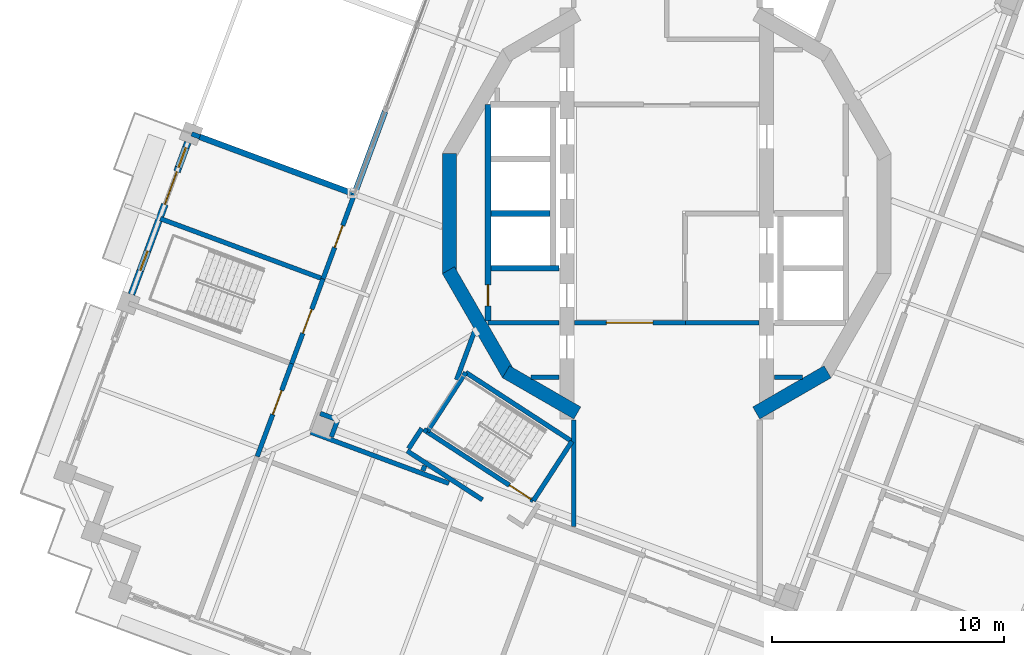
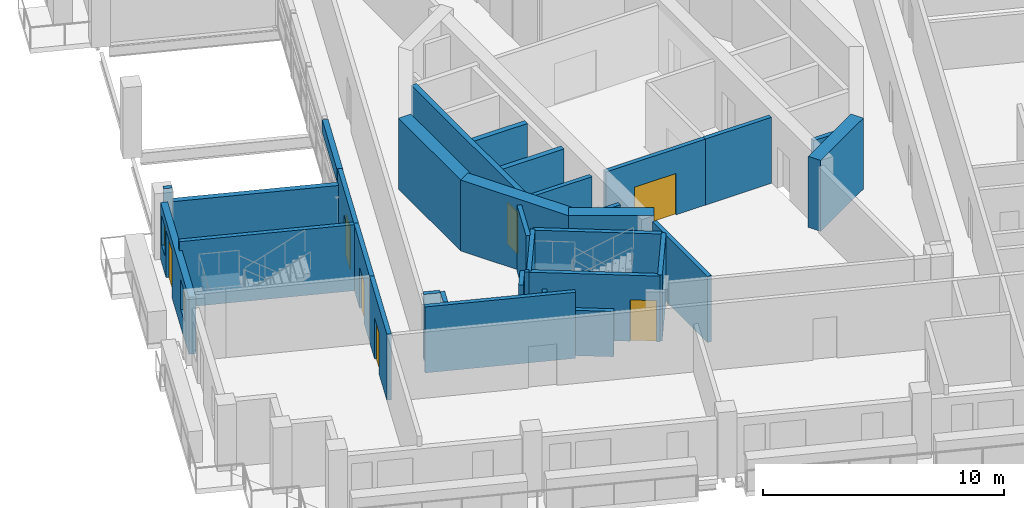
# One storey, part 8 of 20: 33 walls, 7 doors, 2 windows, 9 openings.
"""IFC4 building model written with IfcOpenShell, lengths in metres."""

from ifc_helpers import new_model, si_unit, direction, frame, frame_2d, origin, place, context, subcontext, project, spatial, rectangle, extrude, material, layer, layer_set, type_object, element, fill, save


model = new_model("IFC4")

# Units and contexts
model_context = context("Model", 3, precision=1e-05, world=origin(), true_north=direction((0.0, 1.0)))
body_context = subcontext(model_context, "Body", "Model", "MODEL_VIEW")
ifc_project = project(units=[si_unit("LENGTHUNIT", "METRE"), si_unit("AREAUNIT", "SQUARE_METRE"), si_unit("VOLUMEUNIT", "CUBIC_METRE"), si_unit("PLANEANGLEUNIT", "RADIAN"), si_unit("MASSUNIT", "GRAM", prefix="KILO")], contexts=[model_context])

# Site, building, storey
site_placement = place(None, origin())
site = spatial("IfcSite", under=ifc_project, at=site_placement, CompositionType="ELEMENT")
building_placement = place(site_placement, origin())
building = spatial("IfcBuilding", under=site, at=building_placement, Name="Cantera Rosa Tower", CompositionType="ELEMENT")
storey_placement = place(building_placement, frame((0.0, 0.0, 313.300048828125)))
storey = spatial("IfcBuildingStorey", under=building, at=storey_placement, Name="L69", CompositionType="ELEMENT", Elevation=313.300048828125)

# Wall
ifc_material_1 = material(Name="Gypsum board partition")
ifc_layer_1 = layer(ifc_material_1, 0.199951171875)
ifc_layer_set_1 = layer_set([ifc_layer_1], Name="CORRIDOR WALL 200 H2300")
wall_type_1 = type_object("IfcWallType", Name="CORRIDOR WALL 200 H2300", PredefinedType="PARTITIONING", material=ifc_layer_set_1)
wall_1_placement = place(storey_placement, frame((-11.177490234375, -10.216552734375, 0.0), z_axis=(0.0, 0.0, 1.0), x_axis=(0.83867589464, -0.544630832537, 0.0)))
element("IfcWall", 1, at=wall_1_placement, inside=storey, type_object=wall_type_1, Name="CORRIDOR WALL L69-011", PredefinedType="PARTITIONING", context=body_context, shape_type="SweptSolid", body=[
    extrude(rectangle(XDim=3.864990234375, YDim=0.199951171875, at=frame_2d((1.9326171875, 0.0))), origin(), (0.0, 0.0, 1.0), 2.300048828125),
])

# Wall, opening, door
ifc_material_2 = material(Name="Gypsum board partition")
ifc_layer_2 = layer(ifc_material_2, 0.199951171875)
ifc_layer_set_2 = layer_set([ifc_layer_2], Name="CORRIDOR WALL 200 H3350")
wall_type_2 = type_object("IfcWallType", Name="CORRIDOR WALL 200 H3350", PredefinedType="PARTITIONING", material=ifc_layer_set_2)
wall_2_placement = place(storey_placement, frame((-16.1513671875, -6.460205078125, 0.0), z_axis=(0.0, 0.0, 1.0), x_axis=(-0.347465539693, -0.937692752838, 0.0)))
wall_2 = element("IfcWall", 2, at=wall_2_placement, inside=storey, type_object=wall_type_2, Name="CORRIDOR WALL L69-005", PredefinedType="PARTITIONING", context=body_context, shape_type="SweptSolid", body=[
    extrude(rectangle(XDim=4.260009765625, YDim=0.199951171875, at=frame_2d((2.1298828125, 0.0))), origin(), (0.0, 0.0, 1.0), 3.349853515625),
])
opening_1_placement = place(wall_2_placement, frame((1.22998046875, 0.0, 0.0)))
opening_1 = element("IfcOpeningElement", 3, at=opening_1_placement, cuts=wall_2, Name="Opening L69-026", PredefinedType="OPENING", context=body_context, shape_type="SweptSolid", body=[
    extrude(rectangle(XDim=1.10009765625, YDim=2.10009765625, at=frame_2d((0.550048828125, 1.050048828125))), frame((0.0, 0.10986328125, 0.0), z_axis=(0.0, -1.0, 0.0), x_axis=(1.0, 0.0, 0.0)), (0.0, 0.0, 1.0), 0.219970703125),
])
ifc_material_3 = material(Name="Timber door leaf", Category="wood")
door_type_1 = type_object("IfcDoorType", Name="ROOM DOOR 1100x2100", OperationType="NOTDEFINED", PredefinedType="DOOR", material=ifc_material_3)
door_1_placement = place(opening_1_placement, origin())
door_1 = element("IfcDoor", 4, at=door_1_placement, inside=storey, type_object=door_type_1, Name="DOOR L69-026", OperationType="NOTDEFINED", OverallHeight=2.10009765625, OverallWidth=1.10009765625, PredefinedType="DOOR", context=body_context, shape_type="SweptSolid", body=[
    extrude(rectangle(XDim=1.10009765625, YDim=2.10009765625, at=frame_2d((0.550048828125, 1.050048828125))), frame((0.0, 0.02490234375, 0.0), z_axis=(0.0, -1.0, 0.0), x_axis=(1.0, 0.0, 0.0)), (0.0, 0.0, 1.0), 0.050048828125),
])
fill(opening_1, door_1)

# Walls
wall_3_placement = place(storey_placement, frame((-15.3251953125, -9.4111328125, 0.0), z_axis=(0.0, 0.0, 1.0), x_axis=(0.937682798528, -0.347492401852, 0.0)))
element("IfcWall", 5, at=wall_3_placement, inside=storey, type_object=wall_type_2, Name="CORRIDOR WALL L69-007", PredefinedType="PARTITIONING", context=body_context, shape_type="SweptSolid", body=[
    extrude(rectangle(XDim=6.341552734375, YDim=0.199951171875, at=frame_2d((3.1708984375, 0.0))), origin(), (0.0, 0.0, 1.0), 3.349853515625),
])
wall_4_placement = place(storey_placement, frame((-10.546630859375, -9.2451171875, 0.0), z_axis=(0.0, 0.0, 1.0), x_axis=(-0.544732150362, -0.838610090782, 0.0)))
element("IfcWall", 6, at=wall_4_placement, inside=storey, type_object=wall_type_2, Name="CORRIDOR WALL L69-014", PredefinedType="PARTITIONING", context=body_context, shape_type="SweptSolid", body=[
    extrude(rectangle(XDim=1.038330078125, YDim=0.199951171875, at=frame_2d((0.51904296875, 0.0))), origin(), (0.0, 0.0, 1.0), 3.349853515625),
])
wall_5_placement = place(storey_placement, frame((-10.31591796875, -9.394775390625, 0.0), z_axis=(0.0, 0.0, 1.0), x_axis=(-0.838857934668, 0.544350406856, 0.0)))
element("IfcWall", 7, at=wall_5_placement, inside=storey, type_object=wall_type_2, Name="CORRIDOR WALL L69-016", PredefinedType="PARTITIONING", context=body_context, shape_type="SweptSolid", body=[
    extrude(rectangle(XDim=0.1748046875, YDim=0.199951171875, at=frame_2d((0.08740234375, 0.0))), origin(), (0.0, 0.0, 1.0), 3.349853515625),
])

# Wall, opening, door
wall_6_placement = place(storey_placement, frame((-13.404296875, 0.9521484375, 0.0), z_axis=(0.0, 0.0, 1.0), x_axis=(-0.347502485966, -0.937679061432, 0.0)))
wall_6 = element("IfcWall", 8, at=wall_6_placement, inside=storey, type_object=wall_type_2, Name="CORRIDOR WALL L69-032", PredefinedType="PARTITIONING", context=body_context, shape_type="SweptSolid", body=[
    extrude(rectangle(XDim=4.01513671875, YDim=0.199951171875, at=frame_2d((2.007568359375, 0.0))), origin(), (0.0, 0.0, 1.0), 3.349853515625),
])
opening_2_placement = place(wall_6_placement, frame((1.570068359375, 0.0, 0.0)))
opening_2 = element("IfcOpeningElement", 9, at=opening_2_placement, cuts=wall_6, Name="Opening L69-022", PredefinedType="OPENING", context=body_context, shape_type="SweptSolid", body=[
    extrude(rectangle(XDim=1.0, YDim=2.10009765625, at=frame_2d((0.5, 1.050048828125))), frame((0.0, 0.10986328125, 0.0), z_axis=(0.0, -1.0, 0.0), x_axis=(1.0, 0.0, 0.0)), (0.0, 0.0, 1.0), 0.219970703125),
])
ifc_material_4 = material(Name="Timber door leaf", Category="wood")
door_type_2 = type_object("IfcDoorType", Name="ROOM DOOR 1000x2100", OperationType="NOTDEFINED", PredefinedType="DOOR", material=ifc_material_4)
door_2_placement = place(opening_2_placement, origin())
door_2 = element("IfcDoor", 10, at=door_2_placement, inside=storey, type_object=door_type_2, Name="DOOR L69-022", OperationType="NOTDEFINED", OverallHeight=2.10009765625, OverallWidth=1.0, PredefinedType="DOOR", context=body_context, shape_type="SweptSolid", body=[
    extrude(rectangle(XDim=1.0, YDim=2.10009765625, at=frame_2d((0.5, 1.050048828125))), frame((0.0, 0.02490234375, 0.0), z_axis=(0.0, -1.0, 0.0), x_axis=(1.0, 0.0, 0.0)), (0.0, 0.0, 1.0), 0.050048828125),
])
fill(opening_2, door_2)

# Wall
wall_7_placement = place(storey_placement, frame((-4.0, -13.468017578125, 0.0), z_axis=(0.0, 0.0, 1.0), x_axis=(0.0, 1.0, 0.0)))
element("IfcWall", 11, at=wall_7_placement, inside=storey, type_object=wall_type_2, Name="CORRIDOR WALL L69-047", PredefinedType="PARTITIONING", context=body_context, shape_type="SweptSolid", body=[
    extrude(rectangle(XDim=4.589111328125, YDim=0.199951171875, at=frame_2d((2.29443359375, 0.0))), origin(), (0.0, 0.0, 1.0), 3.349853515625),
])

# Wall, opening, door
wall_8_placement = place(storey_placement, frame((0.800048828125, -4.699951171875, 0.0), z_axis=(0.0, 0.0, 1.0), x_axis=(-1.0, 0.0, 0.0)))
wall_8 = element("IfcWall", 12, at=wall_8_placement, inside=storey, type_object=wall_type_2, Name="CORRIDOR WALL L69-057", PredefinedType="PARTITIONING", context=body_context, shape_type="SweptSolid", body=[
    extrude(rectangle(XDim=4.77001953125, YDim=0.199951171875, at=frame_2d((2.385009765625, 0.0))), origin(), (0.0, 0.0, 1.0), 3.349853515625),
])
opening_3_placement = place(wall_8_placement, frame((1.39990234375, 0.0, 0.0)))
opening_3 = element("IfcOpeningElement", 13, at=opening_3_placement, cuts=wall_8, Name="Opening L69-012", PredefinedType="OPENING", context=body_context, shape_type="SweptSolid", body=[
    extrude(rectangle(XDim=2.0, YDim=2.10009765625, at=frame_2d((1.0, 1.050048828125))), frame((0.0, 0.10986328125, 0.0), z_axis=(0.0, -1.0, 0.0), x_axis=(1.0, 0.0, 0.0)), (0.0, 0.0, 1.0), 0.219970703125),
])
ifc_material_5 = material(Name="Steel S355J2 (EN 10025-2)", Category="steel")
door_type_3 = type_object("IfcDoorType", Name="LOBBY SCREEN DOOR 2000x2100", OperationType="NOTDEFINED", PredefinedType="DOOR", material=ifc_material_5)
door_3_placement = place(opening_3_placement, origin())
door_3 = element("IfcDoor", 14, at=door_3_placement, inside=storey, type_object=door_type_3, Name="DOOR L69-012", OperationType="NOTDEFINED", OverallHeight=2.10009765625, OverallWidth=2.0, PredefinedType="DOOR", context=body_context, shape_type="SweptSolid", body=[
    extrude(rectangle(XDim=2.0, YDim=2.10009765625, at=frame_2d((1.0, 1.050048828125))), frame((0.0, 0.02490234375, 0.0), z_axis=(0.0, -1.0, 0.0), x_axis=(1.0, 0.0, 0.0)), (0.0, 0.0, 1.0), 0.050048828125),
])
fill(opening_3, door_3)

# Wall, openings, windows, door
ifc_material_6 = material(Name="Hollow clay masonry with cantera stone cladding", Category="masonry")
ifc_layer_3 = layer(ifc_material_6, 0.300048828125)
ifc_layer_set_3 = layer_set([ifc_layer_3], Name="EW-LOGGIA 300 H2890")
wall_type_3 = type_object("IfcWallType", Name="EW-LOGGIA 300 H2890", PredefinedType="SOLIDWALL", material=ifc_layer_set_3)
wall_9_placement = place(storey_placement, frame((-20.61962890625, 3.06591796875, 0.0), z_axis=(0.0, 0.0, 1.0), x_axis=(-0.347471562124, -0.937690521182, 0.0)))
wall_9 = element("IfcWall", 15, at=wall_9_placement, inside=storey, type_object=wall_type_3, Name="EN-L69-W10", PredefinedType="SOLIDWALL", context=body_context, shape_type="SweptSolid", body=[
    extrude(rectangle(XDim=6.979736328125, YDim=0.300048828125, at=frame_2d((3.48974609375, 0.0))), origin(), (0.0, 0.0, 1.0), 2.889892578125),
])
opening_4_placement = place(wall_9_placement, frame((0.2451171875, 0.0, 0.89990234375)))
opening_4 = element("IfcOpeningElement", 16, at=opening_4_placement, cuts=wall_9, Name="Opening L69-W16", PredefinedType="OPENING", context=body_context, shape_type="SweptSolid", body=[
    extrude(rectangle(XDim=0.89990234375, YDim=1.5, at=frame_2d((0.449951171875, 0.75))), frame((0.0, 0.159912109375, 0.0), z_axis=(0.0, -1.0, 0.0), x_axis=(1.0, 0.0, 0.0)), (0.0, 0.0, 1.0), 0.320068359375),
])
opening_5_placement = place(wall_9_placement, frame((1.344970703125, 0.0, 0.0)))
opening_5 = element("IfcOpeningElement", 17, at=opening_5_placement, cuts=wall_9, Name="Opening L69-TD17", PredefinedType="OPENING", context=body_context, shape_type="SweptSolid", body=[
    extrude(rectangle(XDim=1.5, YDim=2.39990234375, at=frame_2d((0.75, 1.199951171875))), frame((0.0, 0.159912109375, 0.0), z_axis=(0.0, -1.0, 0.0), x_axis=(1.0, 0.0, 0.0)), (0.0, 0.0, 1.0), 0.320068359375),
])
opening_6_placement = place(wall_9_placement, frame((4.985107421875, 0.0, 0.89990234375)))
opening_6 = element("IfcOpeningElement", 18, at=opening_6_placement, cuts=wall_9, Name="Opening L69-W18", PredefinedType="OPENING", context=body_context, shape_type="SweptSolid", body=[
    extrude(rectangle(XDim=0.89990234375, YDim=1.5, at=frame_2d((0.449951171875, 0.75))), frame((0.0, 0.159912109375, 0.0), z_axis=(0.0, -1.0, 0.0), x_axis=(1.0, 0.0, 0.0)), (0.0, 0.0, 1.0), 0.320068359375),
])
ifc_material_7 = material(Name="Aluminium frame with clear glass", Category="aluminium")
window_type = type_object("IfcWindowType", Name="Residential window 900x1500", PartitioningType="SINGLE_PANEL", PredefinedType="WINDOW", material=ifc_material_7)
window_1_placement = place(opening_4_placement, origin())
window_1 = element("IfcWindow", 19, at=window_1_placement, inside=storey, type_object=window_type, Name="WINDOW L69-W16", OverallHeight=1.5, OverallWidth=0.89990234375, PartitioningType="SINGLE_PANEL", PredefinedType="WINDOW", context=body_context, shape_type="SweptSolid", body=[
    extrude(rectangle(XDim=0.89990234375, YDim=1.5, at=frame_2d((0.449951171875, 0.75))), frame((0.0, 0.030029296875, 0.0), z_axis=(0.0, -1.0, 0.0), x_axis=(1.0, 0.0, 0.0)), (0.0, 0.0, 1.0), 0.06005859375),
])
fill(opening_4, window_1)
window_2_placement = place(opening_6_placement, origin())
window_2 = element("IfcWindow", 20, at=window_2_placement, inside=storey, type_object=window_type, Name="WINDOW L69-W18", OverallHeight=1.5, OverallWidth=0.89990234375, PartitioningType="SINGLE_PANEL", PredefinedType="WINDOW", context=body_context, shape_type="SweptSolid", body=[
    extrude(rectangle(XDim=0.89990234375, YDim=1.5, at=frame_2d((0.449951171875, 0.75))), frame((0.0, 0.030029296875, 0.0), z_axis=(0.0, -1.0, 0.0), x_axis=(1.0, 0.0, 0.0)), (0.0, 0.0, 1.0), 0.06005859375),
])
fill(opening_6, window_2)
ifc_material_8 = material(Name="Aluminium frame with clear glass", Category="aluminium")
door_type_4 = type_object("IfcDoorType", Name="TD-R 1500x2400", OperationType="NOTDEFINED", PredefinedType="DOOR", material=ifc_material_8)
door_4_placement = place(opening_5_placement, origin())
door_4 = element("IfcDoor", 21, at=door_4_placement, inside=storey, type_object=door_type_4, Name="LOGGIA DOOR L69-TD17", OperationType="SLIDING_TO_LEFT", OverallHeight=2.39990234375, OverallWidth=1.5, PredefinedType="DOOR", context=body_context, shape_type="SweptSolid", body=[
    extrude(rectangle(XDim=1.5, YDim=2.39990234375, at=frame_2d((0.75, 1.199951171875))), frame((0.0, 0.02490234375, 0.0), z_axis=(0.0, -1.0, 0.0), x_axis=(1.0, 0.0, 0.0)), (0.0, 0.0, 1.0), 0.050048828125),
])
fill(opening_5, door_4)

# Walls
ifc_material_9 = material(Name="Concrete C40/50", Category="concrete")
ifc_layer_4 = layer(ifc_material_9, 0.25)
ifc_layer_set_4 = layer_set([ifc_layer_4], Name="EW-POCKET CHEEK 250 H2670")
wall_type_4 = type_object("IfcWallType", Name="EW-POCKET CHEEK 250 H2670", PredefinedType="SOLIDWALL", material=ifc_layer_set_4)
wall_10_placement = place(storey_placement, frame((-20.10546875, 3.302001953125, 0.0), z_axis=(0.0, 0.0, 1.0), x_axis=(0.937685216413, -0.347485877297, 0.0)))
element("IfcWall", 22, at=wall_10_placement, inside=storey, type_object=wall_type_4, Name="POCKET CHEEK B L69", PredefinedType="SOLIDWALL", context=body_context, shape_type="SweptSolid", body=[
    extrude(rectangle(XDim=7.0, YDim=0.25, at=frame_2d((3.5, 0.0))), origin(), (0.0, 0.0, 1.0), 2.669921875),
])
ifc_material_10 = material(Name="Hollow clay masonry with cantera stone cladding", Category="masonry")
ifc_layer_5 = layer(ifc_material_10, 0.25)
ifc_layer_set_5 = layer_set([ifc_layer_5], Name="EW-POCKET REAR 250")
wall_type_5 = type_object("IfcWallType", Name="EW-POCKET REAR 250", PredefinedType="SOLIDWALL", material=ifc_layer_set_5)
wall_11_placement = place(storey_placement, frame((-12.1298828125, 4.3916015625, 2.657958984375), z_axis=(0.0, 0.0, 1.0), x_axis=(-0.347502945149, -0.937678891259, 0.0)))
element("IfcWall", 23, at=wall_11_placement, inside=storey, type_object=wall_type_5, Name="POCKET SPANDREL L69-4", PredefinedType="SOLIDWALL", context=body_context, shape_type="SweptSolid", body=[
    extrude(rectangle(XDim=3.66796875, YDim=0.25, at=frame_2d((1.833984375, 0.0))), origin(), (0.0, 0.0, 1.0), 0.64208984375),
])
ifc_material_11 = material(Name="Gypsum board partition")
ifc_layer_6 = layer(ifc_material_11, 0.199951171875)
ifc_layer_set_6 = layer_set([ifc_layer_6], Name="PARTITION 200 H3350")
wall_type_6 = type_object("IfcWallType", Name="PARTITION 200 H3350", PredefinedType="PARTITIONING", material=ifc_layer_set_6)
wall_12_placement = place(storey_placement, frame((-20.452392578125, 3.4306640625, 0.0), z_axis=(0.0, 0.0, 1.0), x_axis=(0.937597447594, -0.347722628348, 0.0)))
element("IfcWall", 24, at=wall_12_placement, inside=storey, type_object=wall_type_6, Name="PARTITION L69-002", PredefinedType="PARTITIONING", context=body_context, shape_type="SweptSolid", body=[
    extrude(rectangle(XDim=0.3701171875, YDim=0.199951171875, at=frame_2d((0.18505859375, 0.0))), origin(), (0.0, 0.0, 1.0), 3.349853515625),
])
wall_13_placement = place(storey_placement, frame((-14.439697265625, -9.611328125, 0.0), z_axis=(0.0, 0.0, 1.0), x_axis=(0.347691457596, 0.937609007164, 0.0)))
element("IfcWall", 25, at=wall_13_placement, inside=storey, type_object=wall_type_6, Name="PARTITION L69-009", PredefinedType="PARTITIONING", context=body_context, shape_type="SweptSolid", body=[
    extrude(rectangle(XDim=0.780029296875, YDim=0.199951171875, at=frame_2d((0.39013671875, 0.0))), origin(), (0.0, 0.0, 1.0), 3.349853515625),
])
wall_14_placement = place(storey_placement, frame((-14.26220703125, -8.84521484375, 0.0), z_axis=(0.0, 0.0, 1.0), x_axis=(-0.937740347131, 0.347337071678, 0.0)))
element("IfcWall", 26, at=wall_14_placement, inside=storey, type_object=wall_type_6, Name="PARTITION L69-010", PredefinedType="PARTITIONING", context=body_context, shape_type="SweptSolid", body=[
    extrude(rectangle(XDim=0.7001953125, YDim=0.199951171875, at=frame_2d((0.35009765625, 0.0))), origin(), (0.0, 0.0, 1.0), 3.349853515625),
])
wall_15_placement = place(storey_placement, frame((-10.4189453125, -10.848876953125, 0.0), z_axis=(0.0, 0.0, 1.0), x_axis=(-0.34761669647, -0.937636727275, 0.0)))
element("IfcWall", 27, at=wall_15_placement, inside=storey, type_object=wall_type_6, Name="PARTITION L69-015", PredefinedType="PARTITIONING", context=body_context, shape_type="SweptSolid", body=[
    extrude(rectangle(XDim=0.236572265625, YDim=0.199951171875, at=frame_2d((0.1181640625, 0.0))), origin(), (0.0, 0.0, 1.0), 3.349853515625),
])
wall_16_placement = place(storey_placement, frame((-8.27099609375, -5.052490234375, 0.0), z_axis=(0.0, 0.0, 1.0), x_axis=(-0.347473745141, -0.937689712239, 0.0)))
element("IfcWall", 28, at=wall_16_placement, inside=storey, type_object=wall_type_6, Name="PARTITION L69-020", PredefinedType="PARTITIONING", context=body_context, shape_type="SweptSolid", body=[
    extrude(rectangle(XDim=2.244873046875, YDim=0.199951171875, at=frame_2d((1.12255859375, 0.0))), origin(), (0.0, 0.0, 1.0), 3.349853515625),
])
wall_17_placement = place(storey_placement, frame((-7.699951171875, -4.699951171875, 0.0), z_axis=(0.0, 0.0, 1.0), x_axis=(1.0, 0.0, 0.0)))
element("IfcWall", 29, at=wall_17_placement, inside=storey, type_object=wall_type_6, Name="PARTITION L69-022", PredefinedType="PARTITIONING", context=body_context, shape_type="SweptSolid", body=[
    extrude(rectangle(XDim=3.070068359375, YDim=0.199951171875, at=frame_2d((1.53515625, 0.0))), origin(), (0.0, 0.0, 1.0), 3.349853515625),
])
for number, where, z_axis, x_axis, name in (
    (30, (-4.6298828125, -7.050048828125, 0.0), (0.0, 0.0, 1.0), (-1.0, 0.0, 0.0), "PARTITION L69-044"),
    (31, (5.84765625, -7.050048828125, 0.0), (0.0, 0.0, 1.0), (-1.0, 0.0, 0.0), "PARTITION L69-078"),
):
    element("IfcWall", number, at=place(storey_placement, frame(where, z_axis=z_axis, x_axis=x_axis)), inside=storey, type_object=wall_type_6, Name=name, PredefinedType="PARTITIONING", context=body_context, shape_type="SweptSolid", body=[
        extrude(rectangle(XDim=1.2177734375, YDim=0.199951171875, at=frame_2d((0.60888671875, 0.0))), origin(), (0.0, 0.0, 1.0), 3.349853515625),
    ])
ifc_material_12 = material(Name="Concrete C50/60", Category="concrete")
ifc_layer_7 = layer(ifc_material_12, 0.60009765625)
ifc_layer_set_7 = layer_set([ifc_layer_7], Name="RC CORE WALL 600 C50/60")
wall_type_7 = type_object("IfcWallType", Name="RC CORE WALL 600 C50/60", PredefinedType="SHEAR", material=ifc_layer_set_7)
wall_18_placement = place(storey_placement, frame((-3.85009765625, -8.584228515625, 0.0), z_axis=(0.0, 0.0, 1.0), x_axis=(-0.866039982607, 0.499974747889, 0.0)))
element("IfcWall", 32, at=wall_18_placement, inside=storey, type_object=wall_type_7, Name="CW-W1 L69", PredefinedType="SHEAR", context=body_context, shape_type="SweptSolid", body=[
    extrude(rectangle(XDim=3.546142578125, YDim=0.60009765625, at=frame_2d((1.77294921875, 0.0))), origin(), (0.0, 0.0, 1.0), 3.599853515625),
])
for number, where, z_axis, x_axis, name in (
    (33, (-6.811279296875, -6.921142578125, 0.0), (0.0, 0.0, 1.0), (-0.499989188378, 0.866031645787, 0.0), "CW-W2 L69"),
    (34, (-9.359375, -2.588134765625, 0.0), (0.0, 0.0, 1.0), (0.0, 1.0, 0.0), "CW-W3 L69"),
):
    element("IfcWall", number, at=place(storey_placement, frame(where, z_axis=z_axis, x_axis=x_axis)), inside=storey, type_object=wall_type_7, Name=name, PredefinedType="SHEAR", context=body_context, shape_type="SweptSolid", body=[
        extrude(rectangle(XDim=5.17626953125, YDim=0.60009765625, at=frame_2d((2.588134765625, 0.0))), origin(), (0.0, 0.0, 1.0), 3.599853515625),
    ])
wall_19_placement = place(storey_placement, frame((6.921142578125, -6.811279296875, 0.0), z_axis=(0.0, 0.0, 1.0), x_axis=(-0.866039982607, -0.499974747889, 0.0)))
element("IfcWall", 35, at=wall_19_placement, inside=storey, type_object=wall_type_7, Name="CW-E5 L69", PredefinedType="SHEAR", context=body_context, shape_type="SweptSolid", body=[
    extrude(rectangle(XDim=3.546142578125, YDim=0.60009765625, at=frame_2d((1.77294921875, 0.0))), origin(), (0.0, 0.0, 1.0), 3.599853515625),
])
ifc_material_13 = material(Name="Masonry blockwork", Category="masonry")
ifc_layer_8 = layer(ifc_material_13, 0.25)
ifc_layer_set_8 = layer_set([ifc_layer_8], Name="SHAFT WALL 250 H3350")
wall_type_8 = type_object("IfcWallType", Name="SHAFT WALL 250 H3350", PredefinedType="SOLIDWALL", material=ifc_layer_set_8)
wall_20_placement = place(storey_placement, frame((-7.574951171875, 0.0, 0.0), z_axis=(0.0, 0.0, 1.0), x_axis=(1.0, 0.0, 0.0)))
element("IfcWall", 36, at=wall_20_placement, inside=storey, type_object=wall_type_8, Name="SHAFT WALL L69-023", PredefinedType="SOLIDWALL", context=body_context, shape_type="SweptSolid", body=[
    extrude(rectangle(XDim=2.554931640625, YDim=0.25, at=frame_2d((1.27734375, 0.0))), origin(), (0.0, 0.0, 1.0), 3.349853515625),
])

# Wall, opening, door
wall_21_placement = place(storey_placement, frame((-7.699951171875, 4.699951171875, 0.0), z_axis=(0.0, 0.0, 1.0), x_axis=(0.0, -1.0, 0.0)))
wall_21 = element("IfcWall", 37, at=wall_21_placement, inside=storey, type_object=wall_type_8, Name="SHAFT WALL L69-025", PredefinedType="SOLIDWALL", context=body_context, shape_type="SweptSolid", body=[
    extrude(rectangle(XDim=9.320068359375, YDim=0.25, at=frame_2d((4.66015625, 0.0))), origin(), (0.0, 0.0, 1.0), 3.349853515625),
])
opening_7_placement = place(wall_21_placement, frame((7.7705078125, 0.0, 0.0)))
opening_7 = element("IfcOpeningElement", 38, at=opening_7_placement, cuts=wall_21, Name="Opening L69-042", PredefinedType="OPENING", context=body_context, shape_type="SweptSolid", body=[
    extrude(rectangle(XDim=0.89990234375, YDim=2.10009765625, at=frame_2d((0.449951171875, 1.050048828125))), frame((0.0, 0.135009765625, 0.0), z_axis=(0.0, -1.0, 0.0), x_axis=(1.0, 0.0, 0.0)), (0.0, 0.0, 1.0), 0.27001953125),
])
ifc_material_14 = material(Name="Timber door leaf", Category="wood")
door_type_5 = type_object("IfcDoorType", Name="SERVICE DOOR 900x2100", OperationType="NOTDEFINED", PredefinedType="DOOR", material=ifc_material_14)
door_5_placement = place(opening_7_placement, origin())
door_5 = element("IfcDoor", 39, at=door_5_placement, inside=storey, type_object=door_type_5, Name="RISER DOOR L69-042", OperationType="NOTDEFINED", OverallHeight=2.10009765625, OverallWidth=0.89990234375, PredefinedType="DOOR", context=body_context, shape_type="SweptSolid", body=[
    extrude(rectangle(XDim=0.89990234375, YDim=2.10009765625, at=frame_2d((0.449951171875, 1.050048828125))), frame((0.0, 0.02490234375, 0.0), z_axis=(0.0, -1.0, 0.0), x_axis=(1.0, 0.0, 0.0)), (0.0, 0.0, 1.0), 0.050048828125),
])
fill(opening_7, door_5)

# Wall
wall_22_placement = place(storey_placement, frame((-4.6298828125, -2.35009765625, 0.0), z_axis=(0.0, 0.0, 1.0), x_axis=(-1.0, 0.0, 0.0)))
element("IfcWall", 40, at=wall_22_placement, inside=storey, type_object=wall_type_8, Name="SHAFT WALL L69-045", PredefinedType="SOLIDWALL", context=body_context, shape_type="SweptSolid", body=[
    extrude(rectangle(XDim=2.945068359375, YDim=0.25, at=frame_2d((1.47265625, 0.0))), origin(), (0.0, 0.0, 1.0), 3.349853515625),
])

# Wall, opening, door
ifc_material_15 = material(Name="Concrete C50/60", Category="concrete")
ifc_layer_9 = layer(ifc_material_15, 0.199951171875)
ifc_layer_set_9 = layer_set([ifc_layer_9], Name="STAIR WALL 200 H3350")
wall_type_9 = type_object("IfcWallType", Name="STAIR WALL 200 H3350", PredefinedType="SOLIDWALL", material=ifc_layer_set_9)
wall_23_placement = place(storey_placement, frame((-16.1513671875, -6.460205078125, 0.0), z_axis=(0.0, 0.0, 1.0), x_axis=(0.347516717491, 0.937673787126, 0.0)))
wall_23 = element("IfcWall", 41, at=wall_23_placement, inside=storey, type_object=wall_type_9, Name="STAIR WALL L69-006", PredefinedType="SOLIDWALL", context=body_context, shape_type="SweptSolid", body=[
    extrude(rectangle(XDim=3.889892578125, YDim=0.199951171875, at=frame_2d((1.94482421875, 0.0))), origin(), (0.0, 0.0, 1.0), 3.349853515625),
])
opening_8_placement = place(wall_23_placement, frame((1.39501953125, 0.0, 0.0)))
opening_8 = element("IfcOpeningElement", 42, at=opening_8_placement, cuts=wall_23, Name="Opening L69-003", PredefinedType="OPENING", context=body_context, shape_type="SweptSolid", body=[
    extrude(rectangle(XDim=1.10009765625, YDim=2.10009765625, at=frame_2d((0.550048828125, 1.050048828125))), frame((0.0, 0.10986328125, 0.0), z_axis=(0.0, -1.0, 0.0), x_axis=(1.0, 0.0, 0.0)), (0.0, 0.0, 1.0), 0.219970703125),
])
ifc_material_16 = material(Name="Steel S355J2 (EN 10025-2)", Category="steel")
door_type_6 = type_object("IfcDoorType", Name="STAIR DOOR 1100x2100", OperationType="NOTDEFINED", PredefinedType="DOOR", material=ifc_material_16)
door_6_placement = place(opening_8_placement, origin())
door_6 = element("IfcDoor", 43, at=door_6_placement, inside=storey, type_object=door_type_6, Name="DOOR L69-003", OperationType="NOTDEFINED", OverallHeight=2.10009765625, OverallWidth=1.10009765625, PredefinedType="DOOR", context=body_context, shape_type="SweptSolid", body=[
    extrude(rectangle(XDim=1.10009765625, YDim=2.10009765625, at=frame_2d((0.550048828125, 1.050048828125))), frame((0.0, 0.02490234375, 0.0), z_axis=(0.0, -1.0, 0.0), x_axis=(1.0, 0.0, 0.0)), (0.0, 0.0, 1.0), 0.050048828125),
])
fill(opening_8, door_6)

# Walls
wall_24_placement = place(storey_placement, frame((-14.799560546875, -2.812744140625, 0.0), z_axis=(0.0, 0.0, 1.0), x_axis=(-0.93768803379, 0.347478274555, 0.0)))
element("IfcWall", 44, at=wall_24_placement, inside=storey, type_object=wall_type_9, Name="STAIR WALL L69-008", PredefinedType="SOLIDWALL", context=body_context, shape_type="SweptSolid", body=[
    extrude(rectangle(XDim=7.47021484375, YDim=0.199951171875, at=frame_2d((3.735107421875, 0.0))), origin(), (0.0, 0.0, 1.0), 3.349853515625),
])
wall_25_placement = place(storey_placement, frame((-8.65478515625, -6.8369140625, 0.0), z_axis=(0.0, 0.0, 1.0), x_axis=(-0.544647854685, -0.838664840319, 0.0)))
element("IfcWall", 45, at=wall_25_placement, inside=storey, type_object=wall_type_9, Name="STAIR WALL L69-018", PredefinedType="SOLIDWALL", context=body_context, shape_type="SweptSolid", body=[
    extrude(rectangle(XDim=3.0498046875, YDim=0.199951171875, at=frame_2d((1.52490234375, 0.0))), origin(), (0.0, 0.0, 1.0), 3.349853515625),
])
wall_26_placement = place(storey_placement, frame((-8.65478515625, -6.8369140625, 0.0), z_axis=(0.0, 0.0, 1.0), x_axis=(0.838674843592, -0.544632451041, 0.0)))
element("IfcWall", 46, at=wall_26_placement, inside=storey, type_object=wall_type_9, Name="STAIR WALL L69-019", PredefinedType="SOLIDWALL", context=body_context, shape_type="SweptSolid", body=[
    extrude(rectangle(XDim=5.449951171875, YDim=0.199951171875, at=frame_2d((2.72509765625, 0.0))), origin(), (0.0, 0.0, 1.0), 3.349853515625),
])

# Wall, opening, door
wall_27_placement = place(storey_placement, frame((-5.7451171875, -12.363037109375, 0.0), z_axis=(0.0, 0.0, 1.0), x_axis=(-0.838674843592, 0.544632451041, 0.0)))
wall_27 = element("IfcWall", 47, at=wall_27_placement, inside=storey, type_object=wall_type_9, Name="STAIR WALL L69-039", PredefinedType="SOLIDWALL", context=body_context, shape_type="SweptSolid", body=[
    extrude(rectangle(XDim=5.449951171875, YDim=0.199951171875, at=frame_2d((2.72509765625, 0.0))), origin(), (0.0, 0.0, 1.0), 3.349853515625),
])
opening_9_placement = place(wall_27_placement, frame((0.1298828125, 0.0, 0.0)))
opening_9 = element("IfcOpeningElement", 48, at=opening_9_placement, cuts=wall_27, Name="Opening L69-004", PredefinedType="OPENING", context=body_context, shape_type="SweptSolid", body=[
    extrude(rectangle(XDim=1.10009765625, YDim=2.10009765625, at=frame_2d((0.550048828125, 1.050048828125))), frame((0.0, 0.10986328125, 0.0), z_axis=(0.0, -1.0, 0.0), x_axis=(1.0, 0.0, 0.0)), (0.0, 0.0, 1.0), 0.219970703125),
])
door_7_placement = place(opening_9_placement, origin())
door_7 = element("IfcDoor", 49, at=door_7_placement, inside=storey, type_object=door_type_6, Name="DOOR L69-004", OperationType="NOTDEFINED", OverallHeight=2.10009765625, OverallWidth=1.10009765625, PredefinedType="DOOR", context=body_context, shape_type="SweptSolid", body=[
    extrude(rectangle(XDim=1.10009765625, YDim=2.10009765625, at=frame_2d((0.550048828125, 1.050048828125))), frame((0.0, 0.02490234375, 0.0), z_axis=(0.0, -1.0, 0.0), x_axis=(1.0, 0.0, 0.0)), (0.0, 0.0, 1.0), 0.050048828125),
])
fill(opening_9, door_7)

# Walls
wall_28_placement = place(storey_placement, frame((-4.083984375, -9.80517578125, 0.0), z_axis=(0.0, 0.0, 1.0), x_axis=(-0.544647854685, -0.838664840319, 0.0)))
element("IfcWall", 50, at=wall_28_placement, inside=storey, type_object=wall_type_9, Name="STAIR WALL L69-046", PredefinedType="SOLIDWALL", context=body_context, shape_type="SweptSolid", body=[
    extrude(rectangle(XDim=3.0498046875, YDim=0.199951171875, at=frame_2d((1.52490234375, 0.0))), origin(), (0.0, 0.0, 1.0), 3.349853515625),
])
wall_29_placement = place(storey_placement, frame((3.969970703125, -4.699951171875, 0.0), z_axis=(0.0, 0.0, 1.0), x_axis=(-1.0, 0.0, 0.0)))
element("IfcWall", 51, at=wall_29_placement, inside=storey, type_object=wall_type_9, Name="STAIR WALL L69-065", PredefinedType="SOLIDWALL", context=body_context, shape_type="SweptSolid", body=[
    extrude(rectangle(XDim=3.169921875, YDim=0.199951171875, at=frame_2d((1.5849609375, 0.0))), origin(), (0.0, 0.0, 1.0), 3.349853515625),
])

save(model, "model.ifc")
